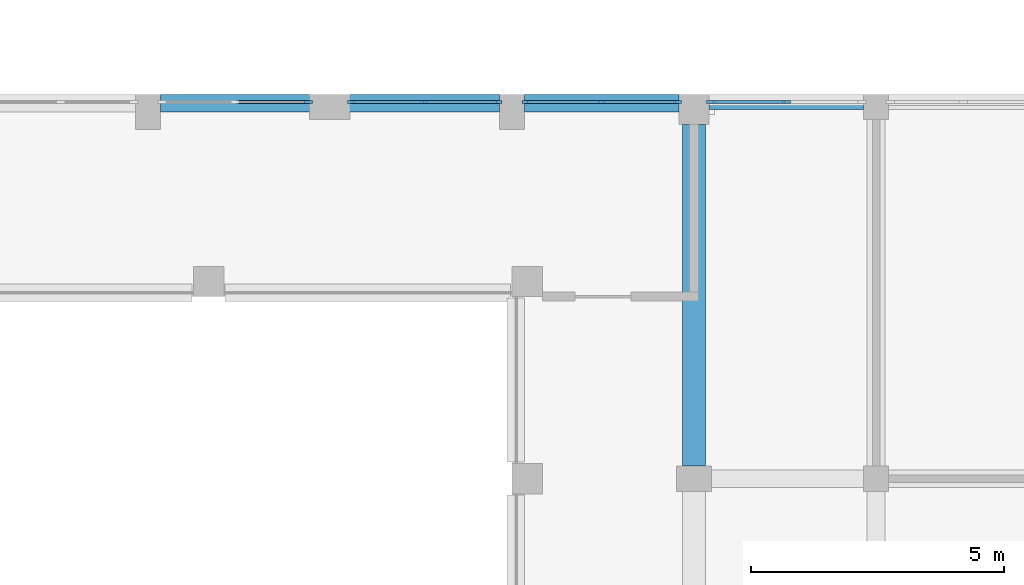
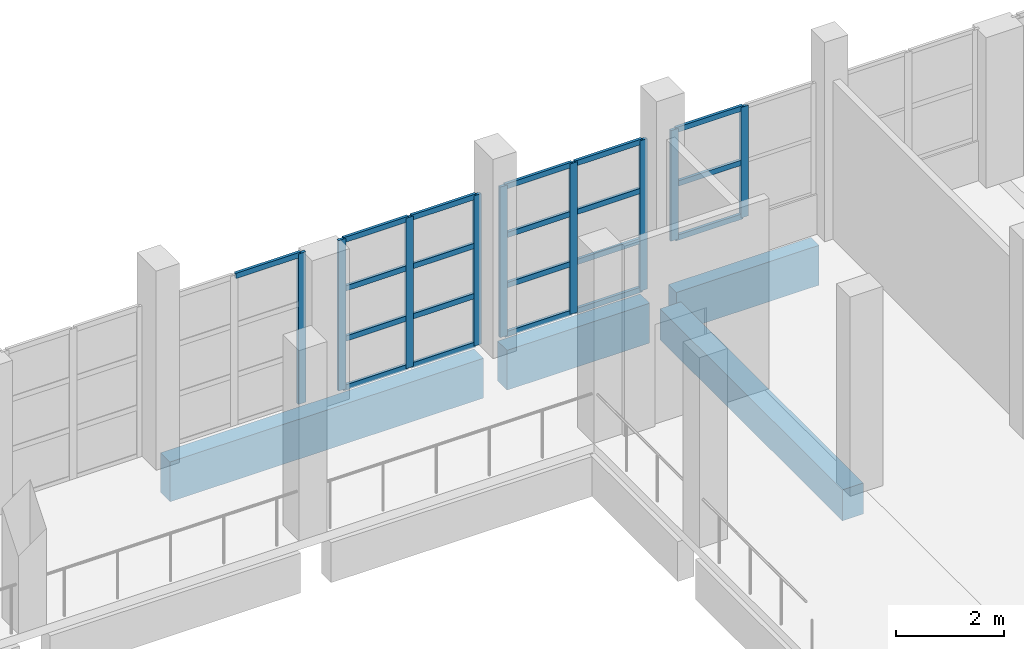
# One storey, part 11 of 58: 29 members, 4 beams, 4 elements without a shape of their own.
"""IFC4 building model written with IfcOpenShell, lengths in metres."""

from ifc_helpers import new_model, si_unit, direction, frame, origin, origin_2d, place, context, subcontext, project, spatial, rectangle, extrude, material, layer, layer_set, material_profile, profile_set, type_object, element, aggregate, save


model = new_model("IFC4")

# Units and contexts
model_context = context("Model", 3, precision=1e-05, world=origin(), true_north=direction((0.0, 1.0)))
body_context = subcontext(model_context, "Body", "Model", "MODEL_VIEW")
ifc_project = project(units=[si_unit("LENGTHUNIT", "METRE"), si_unit("AREAUNIT", "SQUARE_METRE"), si_unit("VOLUMEUNIT", "CUBIC_METRE"), si_unit("PLANEANGLEUNIT", "RADIAN"), si_unit("MASSUNIT", "GRAM", prefix="KILO")], contexts=[model_context])

# Site, building, storey
site_placement = place(None, origin())
site = spatial("IfcSite", under=ifc_project, at=site_placement, CompositionType="ELEMENT")
building_placement = place(site_placement, origin())
building = spatial("IfcBuilding", under=site, at=building_placement, Name="Ussher Court Research Institute", CompositionType="ELEMENT")
storey_placement = place(building_placement, frame((0.0, 0.0, 9.89990234375)))
storey = spatial("IfcBuildingStorey", under=building, at=storey_placement, Name="L02", CompositionType="ELEMENT", Elevation=9.89990234375)

# Curtain wall, member
ifc_material_1 = material(Name="Bronze anodised aluminium with low-e glass", Category="aluminium")
ifc_layer_1 = layer(ifc_material_1, 0.1201171875)
ifc_layer_set_1 = layer_set([ifc_layer_1], Name="Bronze anodised aluminium with low-e glass")
curtain_wall_type_1 = type_object("IfcCurtainWallType", Name="Curtain wall atrium clear glazing", PredefinedType="NOTDEFINED", material=ifc_layer_set_1)
curtain_wall_1_placement = place(storey_placement, origin())
curtain_wall_1 = element("IfcCurtainWall", 1, at=curtain_wall_1_placement, inside=storey, type_object=curtain_wall_type_1, Name="Curtain wall CW2 L02", PredefinedType="NOTDEFINED")
ifc_material_2 = material(Name="Bronze anodised aluminium", Category="aluminium")
ifc_material_profile_1 = material_profile(ifc_material_2, rectangle(XDim=0.06005859375, YDim=0.159912109375, at=origin_2d()), Name="Mullion 60x160")
ifc_profile_set_1 = profile_set([ifc_material_profile_1], Name="Bronze anodised aluminium")
member_type_1 = type_object("IfcMemberType", Name="Mullion 60x160", PredefinedType="MULLION", material=ifc_profile_set_1)
member_1_placement = place(storey_placement, frame((56.570068359375, 40.25, 0.0), z_axis=(0.0, 0.0, 1.0), x_axis=(0.0, 1.0, 0.0)))
member_1 = element("IfcMember", 2, at=member_1_placement, type_object=member_type_1, Name="CW2 mullion 3", PredefinedType="MULLION", context=body_context, shape_type="SweptSolid", body=[
    extrude(rectangle(XDim=0.06005859375, YDim=0.159912109375, at=origin_2d()), origin(), (0.0, 0.0, 1.0), 3.400146484375),
])

# Curtain wall, members
curtain_wall_2_placement = place(storey_placement, origin())
curtain_wall_2 = element("IfcCurtainWall", 3, at=curtain_wall_2_placement, inside=storey, type_object=curtain_wall_type_1, Name="Curtain wall CW2 L02", PredefinedType="NOTDEFINED")
member_2_placement = place(storey_placement, frame((57.429931640625, 40.25, 0.0), z_axis=(0.0, 0.0, 1.0), x_axis=(0.0, 1.0, 0.0)))
member_2 = element("IfcMember", 4, at=member_2_placement, type_object=member_type_1, Name="CW2 mullion 1", PredefinedType="MULLION", context=body_context, shape_type="SweptSolid", body=[
    extrude(rectangle(XDim=0.06005859375, YDim=0.159912109375, at=origin_2d()), origin(), (0.0, 0.0, 1.0), 3.400146484375),
])
member_3_placement = place(storey_placement, frame((58.875, 40.25, 0.0), z_axis=(0.0, 0.0, 1.0), x_axis=(0.0, 1.0, 0.0)))
member_3 = element("IfcMember", 5, at=member_3_placement, type_object=member_type_1, Name="CW2 mullion 2", PredefinedType="MULLION", context=body_context, shape_type="SweptSolid", body=[
    extrude(rectangle(XDim=0.06005859375, YDim=0.159912109375, at=origin_2d()), origin(), (0.0, 0.0, 1.0), 3.400146484375),
])
member_4_placement = place(storey_placement, frame((60.320068359375, 40.25, 0.0), z_axis=(0.0, 0.0, 1.0), x_axis=(0.0, 1.0, 0.0)))
member_4 = element("IfcMember", 6, at=member_4_placement, type_object=member_type_1, Name="CW2 mullion 3", PredefinedType="MULLION", context=body_context, shape_type="SweptSolid", body=[
    extrude(rectangle(XDim=0.06005859375, YDim=0.159912109375, at=origin_2d()), origin(), (0.0, 0.0, 1.0), 3.400146484375),
])

curtain_wall_3_placement = place(storey_placement, origin())
curtain_wall_3 = element("IfcCurtainWall", 7, at=curtain_wall_3_placement, inside=storey, type_object=curtain_wall_type_1, Name="Curtain wall CW2 L02", PredefinedType="NOTDEFINED")
member_5_placement = place(storey_placement, frame((60.8798828125, 40.25, 0.0), z_axis=(0.0, 0.0, 1.0), x_axis=(0.0, 1.0, 0.0)))
member_5 = element("IfcMember", 8, at=member_5_placement, type_object=member_type_1, Name="CW2 mullion 1", PredefinedType="MULLION", context=body_context, shape_type="SweptSolid", body=[
    extrude(rectangle(XDim=0.06005859375, YDim=0.159912109375, at=origin_2d()), origin(), (0.0, 0.0, 1.0), 3.400146484375),
])
member_6_placement = place(storey_placement, frame((62.375, 40.25, 0.0), z_axis=(0.0, 0.0, 1.0), x_axis=(0.0, 1.0, 0.0)))
member_6 = element("IfcMember", 9, at=member_6_placement, type_object=member_type_1, Name="CW2 mullion 2", PredefinedType="MULLION", context=body_context, shape_type="SweptSolid", body=[
    extrude(rectangle(XDim=0.06005859375, YDim=0.159912109375, at=origin_2d()), origin(), (0.0, 0.0, 1.0), 3.400146484375),
])
member_7_placement = place(storey_placement, frame((63.8701171875, 40.25, 0.0), z_axis=(0.0, 0.0, 1.0), x_axis=(0.0, 1.0, 0.0)))
member_7 = element("IfcMember", 10, at=member_7_placement, type_object=member_type_1, Name="CW2 mullion 3", PredefinedType="MULLION", context=body_context, shape_type="SweptSolid", body=[
    extrude(rectangle(XDim=0.06005859375, YDim=0.159912109375, at=origin_2d()), origin(), (0.0, 0.0, 1.0), 3.400146484375),
])

ifc_material_3 = material(Name="Bronze anodised aluminium with insulated low-e glass", Category="aluminium")
ifc_layer_2 = layer(ifc_material_3, 0.1201171875)
ifc_layer_set_2 = layer_set([ifc_layer_2], Name="Bronze anodised aluminium with insulated low-e glass")
curtain_wall_type_2 = type_object("IfcCurtainWallType", Name="Curtain wall reading link court front", PredefinedType="NOTDEFINED", material=ifc_layer_set_2)
curtain_wall_4_placement = place(storey_placement, origin())
curtain_wall_4 = element("IfcCurtainWall", 11, at=curtain_wall_4_placement, inside=storey, type_object=curtain_wall_type_2, Name="Curtain wall CW7 L02", PredefinedType="NOTDEFINED")
member_8_placement = place(storey_placement, frame((64.530029296875, 40.25, 0.900146484375), z_axis=(0.0, 0.0, 1.0), x_axis=(0.0, 1.0, 0.0)))
member_8 = element("IfcMember", 12, at=member_8_placement, type_object=member_type_1, Name="CW7 mullion 1", PredefinedType="MULLION", context=body_context, shape_type="SweptSolid", body=[
    extrude(rectangle(XDim=0.06005859375, YDim=0.159912109375, at=origin_2d()), origin(), (0.0, 0.0, 1.0), 2.5),
])
member_9_placement = place(storey_placement, frame((66.02490234375, 40.25, 0.900146484375), z_axis=(0.0, 0.0, 1.0), x_axis=(0.0, 1.0, 0.0)))
member_9 = element("IfcMember", 13, at=member_9_placement, type_object=member_type_1, Name="CW7 mullion 2", PredefinedType="MULLION", context=body_context, shape_type="SweptSolid", body=[
    extrude(rectangle(XDim=0.06005859375, YDim=0.159912109375, at=origin_2d()), origin(), (0.0, 0.0, 1.0), 2.5),
])

# Beams
ifc_material_4 = material(Name="Concrete C35/45", Category="concrete")
ifc_material_profile_2 = material_profile(ifc_material_4, rectangle(XDim=0.300048828125, YDim=0.89990234375, at=origin_2d()), Name="RC 300x900")
ifc_profile_set_2 = profile_set([ifc_material_profile_2], Name="Concrete C35/45")
beam_type_1 = type_object("IfcBeamType", Name="RC 300x900 beam", PredefinedType="BEAM", material=ifc_profile_set_2)
beam_1_placement = place(storey_placement, frame((64.5, 40.25, -0.64990234375), z_axis=(1.0, 0.0, 0.0), x_axis=(0.0, 1.0, 0.0)))
element("IfcBeam", 14, at=beam_1_placement, inside=storey, type_object=beam_type_1, Name="SB2 V7 L02-08", PredefinedType="BEAM", context=body_context, shape_type="SweptSolid", body=[
    extrude(rectangle(XDim=0.300048828125, YDim=0.89990234375, at=origin_2d()), origin(), (0.0, 0.0, 1.0), 3.050048828125),
])
ifc_material_5 = material(Name="Concrete C35/45", Category="concrete")
ifc_material_profile_3 = material_profile(ifc_material_5, rectangle(XDim=0.35009765625, YDim=0.89990234375, at=origin_2d()), Name="RC 350x900")
ifc_profile_set_3 = profile_set([ifc_material_profile_3], Name="Concrete C35/45")
beam_type_2 = type_object("IfcBeamType", Name="RC 350x900 beam", PredefinedType="BEAM", material=ifc_profile_set_3)
beam_2_placement = place(storey_placement, frame((53.64990234375, 40.22509765625, -0.64990234375), z_axis=(1.0, 0.0, 0.0), x_axis=(0.0, 1.0, 0.0)))
element("IfcBeam", 15, at=beam_2_placement, inside=storey, type_object=beam_type_2, Name="SB1 V2 L02-07", PredefinedType="BEAM", context=body_context, shape_type="SweptSolid", body=[
    extrude(rectangle(XDim=0.35009765625, YDim=0.89990234375, at=origin_2d()), origin(), (0.0, 0.0, 1.0), 6.7001953125),
])
beam_3_placement = place(storey_placement, frame((60.85009765625, 40.22509765625, -0.64990234375), z_axis=(1.0, 0.0, 0.0), x_axis=(0.0, 1.0, 0.0)))
element("IfcBeam", 16, at=beam_3_placement, inside=storey, type_object=beam_type_2, Name="SB1 V2 L02-08", PredefinedType="BEAM", context=body_context, shape_type="SweptSolid", body=[
    extrude(rectangle(XDim=0.35009765625, YDim=0.89990234375, at=origin_2d()), origin(), (0.0, 0.0, 1.0), 3.0498046875),
])
ifc_material_6 = material(Name="Concrete C35/45", Category="concrete")
ifc_material_profile_4 = material_profile(ifc_material_6, rectangle(XDim=0.449951171875, YDim=0.699951171875, at=origin_2d()), Name="RC 450x700")
ifc_profile_set_4 = profile_set([ifc_material_profile_4], Name="Concrete C35/45")
beam_type_3 = type_object("IfcBeamType", Name="RC 450x700 beam", PredefinedType="BEAM", material=ifc_profile_set_4)
beam_4_placement = place(storey_placement, frame((64.199951171875, 33.050048828125, -0.5498046875), z_axis=(0.0, 1.0, 0.0), x_axis=(-1.0, 0.0, 0.0)))
element("IfcBeam", 17, at=beam_4_placement, inside=storey, type_object=beam_type_3, Name="B10 V2 L02-08", PredefinedType="BEAM", context=body_context, shape_type="SweptSolid", body=[
    extrude(rectangle(XDim=0.449951171875, YDim=0.699951171875, at=origin_2d()), origin(), (0.0, 0.0, 1.0), 6.75),
])

# Member
ifc_material_7 = material(Name="Bronze anodised aluminium", Category="aluminium")
ifc_material_profile_5 = material_profile(ifc_material_7, rectangle(XDim=0.06005859375, YDim=0.1201171875, at=origin_2d()), Name="Transom 60x120")
ifc_profile_set_5 = profile_set([ifc_material_profile_5], Name="Bronze anodised aluminium")
member_type_2 = type_object("IfcMemberType", Name="Transom 60x120", PredefinedType="USERDEFINED", material=ifc_profile_set_5)
member_10_placement = place(storey_placement, frame((55.155029296875, 40.25, 3.3701171875), z_axis=(1.0, 0.0, 0.0), x_axis=(0.0, 1.0, 0.0)))
member_10 = element("IfcMember", 18, at=member_10_placement, type_object=member_type_2, Name="CW2 transom 2.4", ObjectType="TRANSOM", PredefinedType="USERDEFINED", context=body_context, shape_type="SweptSolid", body=[
    extrude(rectangle(XDim=0.06005859375, YDim=0.1201171875, at=origin_2d()), origin(), (0.0, 0.0, 1.0), 1.385009765625),
])

aggregate(curtain_wall_1, [member_1, member_10])

member_11_placement = place(storey_placement, frame((57.4599609375, 40.25, 0.030029296875), z_axis=(1.0, 0.0, 0.0), x_axis=(0.0, 1.0, 0.0)))
member_11 = element("IfcMember", 19, at=member_11_placement, type_object=member_type_2, Name="CW2 transom 1.1", ObjectType="TRANSOM", PredefinedType="USERDEFINED", context=body_context, shape_type="SweptSolid", body=[
    extrude(rectangle(XDim=0.06005859375, YDim=0.1201171875, at=origin_2d()), origin(), (0.0, 0.0, 1.0), 1.385009765625),
])

member_12_placement = place(storey_placement, frame((57.4599609375, 40.25, 1.13330078125), z_axis=(1.0, 0.0, 0.0), x_axis=(0.0, 1.0, 0.0)))
member_12 = element("IfcMember", 20, at=member_12_placement, type_object=member_type_2, Name="CW2 transom 1.2", ObjectType="TRANSOM", PredefinedType="USERDEFINED", context=body_context, shape_type="SweptSolid", body=[
    extrude(rectangle(XDim=0.06005859375, YDim=0.1201171875, at=origin_2d()), origin(), (0.0, 0.0, 1.0), 1.385009765625),
])

member_13_placement = place(storey_placement, frame((57.4599609375, 40.25, 2.266845703125), z_axis=(1.0, 0.0, 0.0), x_axis=(0.0, 1.0, 0.0)))
member_13 = element("IfcMember", 21, at=member_13_placement, type_object=member_type_2, Name="CW2 transom 1.3", ObjectType="TRANSOM", PredefinedType="USERDEFINED", context=body_context, shape_type="SweptSolid", body=[
    extrude(rectangle(XDim=0.06005859375, YDim=0.1201171875, at=origin_2d()), origin(), (0.0, 0.0, 1.0), 1.385009765625),
])

member_14_placement = place(storey_placement, frame((57.4599609375, 40.25, 3.3701171875), z_axis=(1.0, 0.0, 0.0), x_axis=(0.0, 1.0, 0.0)))
member_14 = element("IfcMember", 22, at=member_14_placement, type_object=member_type_2, Name="CW2 transom 1.4", ObjectType="TRANSOM", PredefinedType="USERDEFINED", context=body_context, shape_type="SweptSolid", body=[
    extrude(rectangle(XDim=0.06005859375, YDim=0.1201171875, at=origin_2d()), origin(), (0.0, 0.0, 1.0), 1.385009765625),
])

member_15_placement = place(storey_placement, frame((58.905029296875, 40.25, 0.030029296875), z_axis=(1.0, 0.0, 0.0), x_axis=(0.0, 1.0, 0.0)))
member_15 = element("IfcMember", 23, at=member_15_placement, type_object=member_type_2, Name="CW2 transom 2.1", ObjectType="TRANSOM", PredefinedType="USERDEFINED", context=body_context, shape_type="SweptSolid", body=[
    extrude(rectangle(XDim=0.06005859375, YDim=0.1201171875, at=origin_2d()), origin(), (0.0, 0.0, 1.0), 1.385009765625),
])

member_16_placement = place(storey_placement, frame((58.905029296875, 40.25, 1.13330078125), z_axis=(1.0, 0.0, 0.0), x_axis=(0.0, 1.0, 0.0)))
member_16 = element("IfcMember", 24, at=member_16_placement, type_object=member_type_2, Name="CW2 transom 2.2", ObjectType="TRANSOM", PredefinedType="USERDEFINED", context=body_context, shape_type="SweptSolid", body=[
    extrude(rectangle(XDim=0.06005859375, YDim=0.1201171875, at=origin_2d()), origin(), (0.0, 0.0, 1.0), 1.385009765625),
])

member_17_placement = place(storey_placement, frame((58.905029296875, 40.25, 2.266845703125), z_axis=(1.0, 0.0, 0.0), x_axis=(0.0, 1.0, 0.0)))
member_17 = element("IfcMember", 25, at=member_17_placement, type_object=member_type_2, Name="CW2 transom 2.3", ObjectType="TRANSOM", PredefinedType="USERDEFINED", context=body_context, shape_type="SweptSolid", body=[
    extrude(rectangle(XDim=0.06005859375, YDim=0.1201171875, at=origin_2d()), origin(), (0.0, 0.0, 1.0), 1.385009765625),
])

member_18_placement = place(storey_placement, frame((58.905029296875, 40.25, 3.3701171875), z_axis=(1.0, 0.0, 0.0), x_axis=(0.0, 1.0, 0.0)))
member_18 = element("IfcMember", 26, at=member_18_placement, type_object=member_type_2, Name="CW2 transom 2.4", ObjectType="TRANSOM", PredefinedType="USERDEFINED", context=body_context, shape_type="SweptSolid", body=[
    extrude(rectangle(XDim=0.06005859375, YDim=0.1201171875, at=origin_2d()), origin(), (0.0, 0.0, 1.0), 1.385009765625),
])

aggregate(curtain_wall_2, [member_2, member_3, member_4, member_11, member_12, member_13, member_14, member_15, member_16, member_17, member_18])

member_19_placement = place(storey_placement, frame((60.909912109375, 40.25, 0.030029296875), z_axis=(1.0, 0.0, 0.0), x_axis=(0.0, 1.0, 0.0)))
member_19 = element("IfcMember", 27, at=member_19_placement, type_object=member_type_2, Name="CW2 transom 1.1", ObjectType="TRANSOM", PredefinedType="USERDEFINED", context=body_context, shape_type="SweptSolid", body=[
    extrude(rectangle(XDim=0.06005859375, YDim=0.1201171875, at=origin_2d()), origin(), (0.0, 0.0, 1.0), 1.43505859375),
])

member_20_placement = place(storey_placement, frame((60.909912109375, 40.25, 1.13330078125), z_axis=(1.0, 0.0, 0.0), x_axis=(0.0, 1.0, 0.0)))
member_20 = element("IfcMember", 28, at=member_20_placement, type_object=member_type_2, Name="CW2 transom 1.2", ObjectType="TRANSOM", PredefinedType="USERDEFINED", context=body_context, shape_type="SweptSolid", body=[
    extrude(rectangle(XDim=0.06005859375, YDim=0.1201171875, at=origin_2d()), origin(), (0.0, 0.0, 1.0), 1.43505859375),
])

member_21_placement = place(storey_placement, frame((60.909912109375, 40.25, 2.266845703125), z_axis=(1.0, 0.0, 0.0), x_axis=(0.0, 1.0, 0.0)))
member_21 = element("IfcMember", 29, at=member_21_placement, type_object=member_type_2, Name="CW2 transom 1.3", ObjectType="TRANSOM", PredefinedType="USERDEFINED", context=body_context, shape_type="SweptSolid", body=[
    extrude(rectangle(XDim=0.06005859375, YDim=0.1201171875, at=origin_2d()), origin(), (0.0, 0.0, 1.0), 1.43505859375),
])

member_22_placement = place(storey_placement, frame((60.909912109375, 40.25, 3.3701171875), z_axis=(1.0, 0.0, 0.0), x_axis=(0.0, 1.0, 0.0)))
member_22 = element("IfcMember", 30, at=member_22_placement, type_object=member_type_2, Name="CW2 transom 1.4", ObjectType="TRANSOM", PredefinedType="USERDEFINED", context=body_context, shape_type="SweptSolid", body=[
    extrude(rectangle(XDim=0.06005859375, YDim=0.1201171875, at=origin_2d()), origin(), (0.0, 0.0, 1.0), 1.43505859375),
])

member_23_placement = place(storey_placement, frame((62.405029296875, 40.25, 0.030029296875), z_axis=(1.0, 0.0, 0.0), x_axis=(0.0, 1.0, 0.0)))
member_23 = element("IfcMember", 31, at=member_23_placement, type_object=member_type_2, Name="CW2 transom 2.1", ObjectType="TRANSOM", PredefinedType="USERDEFINED", context=body_context, shape_type="SweptSolid", body=[
    extrude(rectangle(XDim=0.06005859375, YDim=0.1201171875, at=origin_2d()), origin(), (0.0, 0.0, 1.0), 1.43505859375),
])

member_24_placement = place(storey_placement, frame((62.405029296875, 40.25, 1.13330078125), z_axis=(1.0, 0.0, 0.0), x_axis=(0.0, 1.0, 0.0)))
member_24 = element("IfcMember", 32, at=member_24_placement, type_object=member_type_2, Name="CW2 transom 2.2", ObjectType="TRANSOM", PredefinedType="USERDEFINED", context=body_context, shape_type="SweptSolid", body=[
    extrude(rectangle(XDim=0.06005859375, YDim=0.1201171875, at=origin_2d()), origin(), (0.0, 0.0, 1.0), 1.43505859375),
])

member_25_placement = place(storey_placement, frame((62.405029296875, 40.25, 2.266845703125), z_axis=(1.0, 0.0, 0.0), x_axis=(0.0, 1.0, 0.0)))
member_25 = element("IfcMember", 33, at=member_25_placement, type_object=member_type_2, Name="CW2 transom 2.3", ObjectType="TRANSOM", PredefinedType="USERDEFINED", context=body_context, shape_type="SweptSolid", body=[
    extrude(rectangle(XDim=0.06005859375, YDim=0.1201171875, at=origin_2d()), origin(), (0.0, 0.0, 1.0), 1.43505859375),
])

member_26_placement = place(storey_placement, frame((62.405029296875, 40.25, 3.3701171875), z_axis=(1.0, 0.0, 0.0), x_axis=(0.0, 1.0, 0.0)))
member_26 = element("IfcMember", 34, at=member_26_placement, type_object=member_type_2, Name="CW2 transom 2.4", ObjectType="TRANSOM", PredefinedType="USERDEFINED", context=body_context, shape_type="SweptSolid", body=[
    extrude(rectangle(XDim=0.06005859375, YDim=0.1201171875, at=origin_2d()), origin(), (0.0, 0.0, 1.0), 1.43505859375),
])

aggregate(curtain_wall_3, [member_5, member_6, member_7, member_19, member_20, member_21, member_22, member_23, member_24, member_25, member_26])

member_27_placement = place(storey_placement, frame((64.56005859375, 40.25, 0.93017578125), z_axis=(1.0, 0.0, 0.0), x_axis=(0.0, 1.0, 0.0)))
member_27 = element("IfcMember", 35, at=member_27_placement, type_object=member_type_2, Name="CW7 transom 1.1", ObjectType="TRANSOM", PredefinedType="USERDEFINED", context=body_context, shape_type="SweptSolid", body=[
    extrude(rectangle(XDim=0.06005859375, YDim=0.1201171875, at=origin_2d()), origin(), (0.0, 0.0, 1.0), 1.43505859375),
])

member_28_placement = place(storey_placement, frame((64.56005859375, 40.25, 2.150146484375), z_axis=(1.0, 0.0, 0.0), x_axis=(0.0, 1.0, 0.0)))
member_28 = element("IfcMember", 36, at=member_28_placement, type_object=member_type_2, Name="CW7 transom 1.2", ObjectType="TRANSOM", PredefinedType="USERDEFINED", context=body_context, shape_type="SweptSolid", body=[
    extrude(rectangle(XDim=0.06005859375, YDim=0.1201171875, at=origin_2d()), origin(), (0.0, 0.0, 1.0), 1.43505859375),
])

member_29_placement = place(storey_placement, frame((64.56005859375, 40.25, 3.3701171875), z_axis=(1.0, 0.0, 0.0), x_axis=(0.0, 1.0, 0.0)))
member_29 = element("IfcMember", 37, at=member_29_placement, type_object=member_type_2, Name="CW7 transom 1.3", ObjectType="TRANSOM", PredefinedType="USERDEFINED", context=body_context, shape_type="SweptSolid", body=[
    extrude(rectangle(XDim=0.06005859375, YDim=0.1201171875, at=origin_2d()), origin(), (0.0, 0.0, 1.0), 1.43505859375),
])

aggregate(curtain_wall_4, [member_8, member_9, member_27, member_28, member_29])

save(model, "model.ifc")
